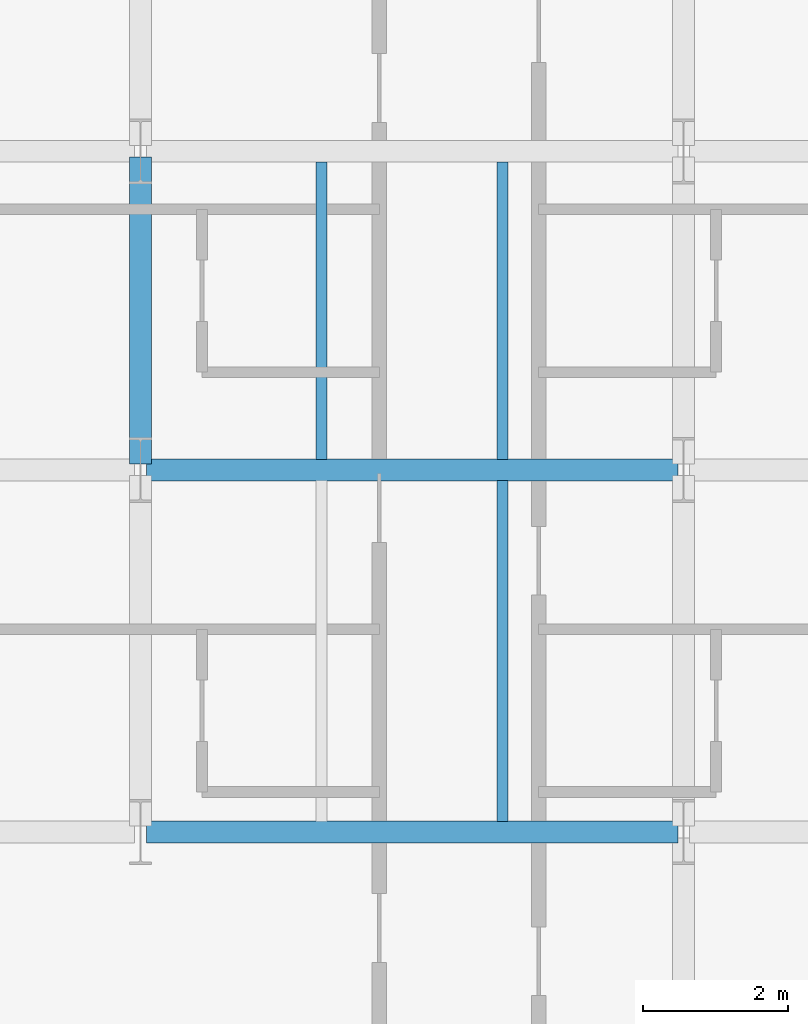
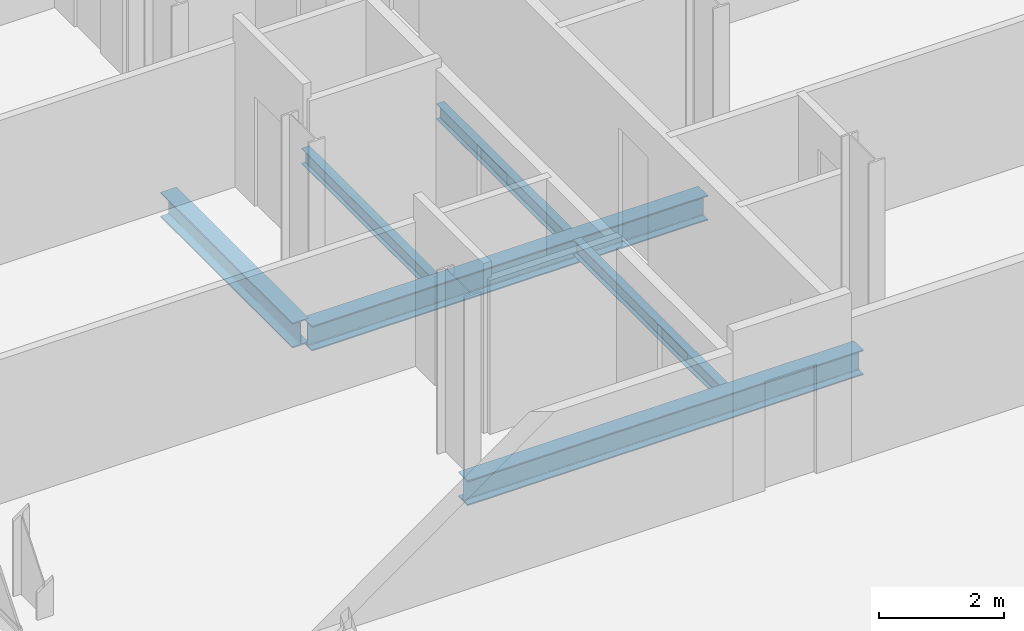
# One storey, part 6 of 32: 6 beams.
"""IFC4 building model written with IfcOpenShell, lengths in metres."""

from ifc_helpers import new_model, si_unit, direction, frame, origin, origin_2d, place, context, subcontext, project, spatial, i_section, extrude, material, material_profile, profile_set, type_object, element, save


model = new_model("IFC4")

# Units and contexts
model_context = context("Model", 3, precision=1e-05, world=origin(), true_north=direction((0.0, 1.0)))
body_context = subcontext(model_context, "Body", "Model", "MODEL_VIEW")
ifc_project = project(units=[si_unit("LENGTHUNIT", "METRE"), si_unit("AREAUNIT", "SQUARE_METRE"), si_unit("VOLUMEUNIT", "CUBIC_METRE"), si_unit("PLANEANGLEUNIT", "RADIAN"), si_unit("MASSUNIT", "GRAM", prefix="KILO")], contexts=[model_context])

# Site, building, storey
site_placement = place(None, origin())
site = spatial("IfcSite", under=ifc_project, at=site_placement, CompositionType="ELEMENT")
building_placement = place(site_placement, origin())
building = spatial("IfcBuilding", under=site, at=building_placement, Name="Catumbela Crestline Tower", CompositionType="ELEMENT")
storey_placement = place(building_placement, frame((0.0, 0.0, 69.0)))
storey = spatial("IfcBuildingStorey", under=building, at=storey_placement, Name="L17", CompositionType="ELEMENT", Elevation=69.0)

# Beams
ifc_material = material(Name="Structural steel S355J2", Category="steel")
ifc_material_profile_1 = material_profile(ifc_material, i_section(OverallWidth=0.3, OverallDepth=0.49, WebThickness=0.012, FlangeThickness=0.023, FilletRadius=0.027, at=origin_2d()), Name="HEA 500")
ifc_profile_set_1 = profile_set([ifc_material_profile_1], Name="Structural steel S355J2")
beam_type_1 = type_object("IfcBeamType", Name="BG-HEA500", PredefinedType="BEAM", material=ifc_profile_set_1)
for number, where, z_axis, x_axis, name in (
    (1, (8.58, 8.6, -0.505), (1.0, 0.0, 0.0), (0.0, 1.0, 0.0), "L17 Beam BM-L17-WEW49"),
    (2, (8.58, 13.6, -0.505), (1.0, 0.0, 0.0), (0.0, 1.0, 0.0), "L17 Beam BM-L17-WEW52"),
):
    element("IfcBeam", number, at=place(storey_placement, frame(where, z_axis=z_axis, x_axis=x_axis)), inside=storey, type_object=beam_type_1, Name=name, PredefinedType="BEAM", context=body_context, shape_type="SweptSolid", body=[
        extrude(i_section(OverallWidth=0.3, OverallDepth=0.49, WebThickness=0.012, FlangeThickness=0.023, FilletRadius=0.027, at=origin_2d()), origin(), (0.0, 0.0, 1.0), 7.34),
    ])
beam_1_placement = place(storey_placement, frame((8.5, 13.68, -0.505), z_axis=(0.0, 1.0, 0.0), x_axis=(-1.0, 0.0, 0.0)))
element("IfcBeam", 3, at=beam_1_placement, inside=storey, type_object=beam_type_1, Name="L17 Beam BM-L17-WNS62", PredefinedType="BEAM", context=body_context, shape_type="SweptSolid", body=[
    extrude(i_section(OverallWidth=0.3, OverallDepth=0.49, WebThickness=0.012, FlangeThickness=0.023, FilletRadius=0.027, at=origin_2d()), origin(), (0.0, 0.0, 1.0), 4.24),
])
ifc_material_profile_2 = material_profile(ifc_material, i_section(OverallWidth=0.15, OverallDepth=0.3, WebThickness=0.0071, FlangeThickness=0.0107, FilletRadius=0.015, at=origin_2d()), Name="IPE 300")
ifc_profile_set_2 = profile_set([ifc_material_profile_2], Name="Structural steel S355J2")
beam_type_2 = type_object("IfcBeamType", Name="BJ-IPE300", PredefinedType="JOIST", material=ifc_profile_set_2)
beam_2_placement = place(storey_placement, frame((13.5, 8.747, -0.41), z_axis=(0.0, 1.0, 0.0), x_axis=(-1.0, 0.0, 0.0)))
element("IfcBeam", 4, at=beam_2_placement, inside=storey, type_object=beam_type_2, Name="L17 Joist JS-L17-WG73", PredefinedType="JOIST", context=body_context, shape_type="SweptSolid", body=[
    extrude(i_section(OverallWidth=0.15, OverallDepth=0.3, WebThickness=0.0071, FlangeThickness=0.0107, FilletRadius=0.015, at=origin_2d()), origin(), (0.0, 0.0, 1.0), 4.706),
])
for number, where, z_axis, x_axis, name in (
    (5, (11.0, 13.747, -0.41), (0.0, 1.0, 0.0), (-1.0, 0.0, 0.0), "L17 Joist JS-L17-WG78"),
    (6, (13.5, 13.747, -0.41), (0.0, 1.0, 0.0), (-1.0, 0.0, 0.0), "L17 Joist JS-L17-WG79"),
):
    element("IfcBeam", number, at=place(storey_placement, frame(where, z_axis=z_axis, x_axis=x_axis)), inside=storey, type_object=beam_type_2, Name=name, PredefinedType="JOIST", context=body_context, shape_type="SweptSolid", body=[
        extrude(i_section(OverallWidth=0.15, OverallDepth=0.3, WebThickness=0.0071, FlangeThickness=0.0107, FilletRadius=0.015, at=origin_2d()), origin(), (0.0, 0.0, 1.0), 4.106),
    ])

save(model, "model.ifc")
